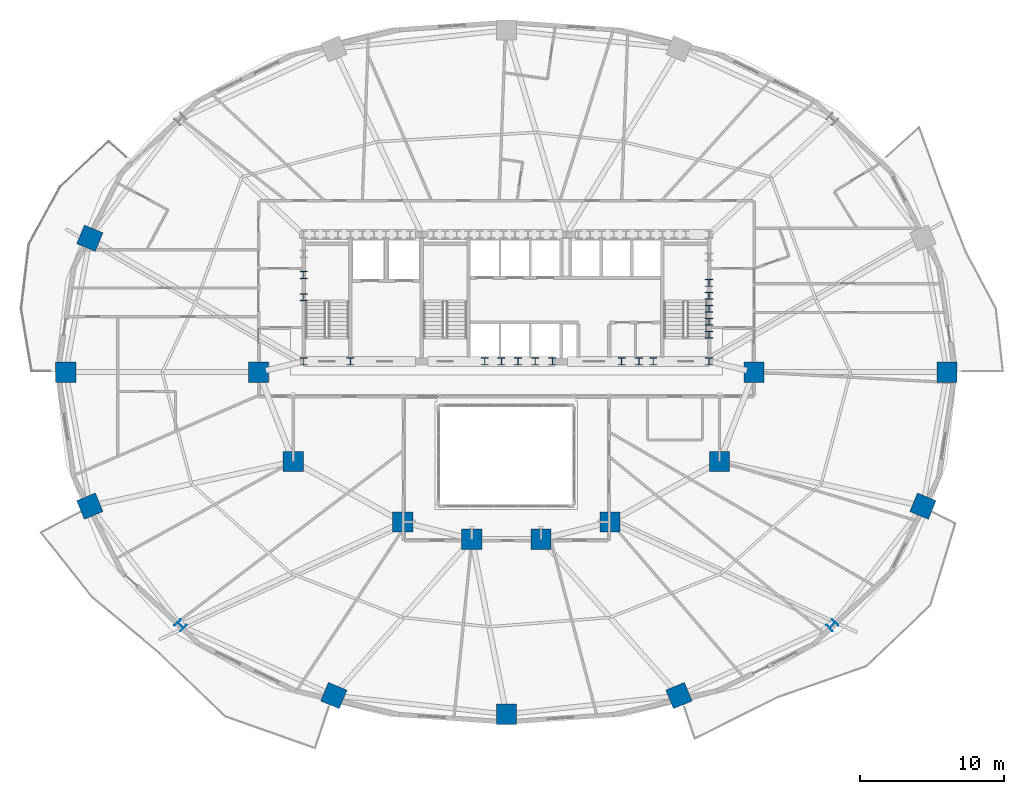
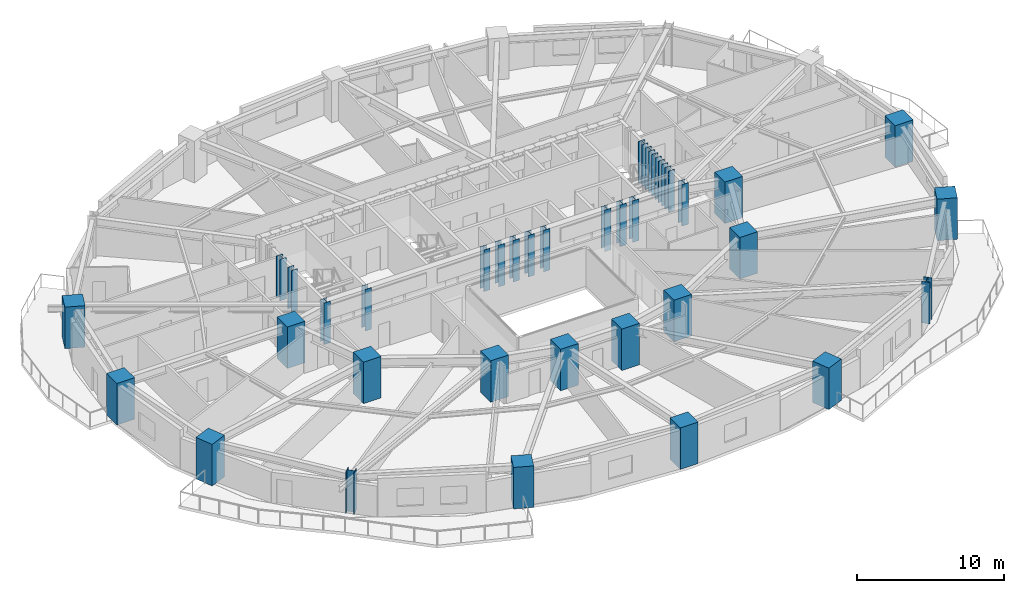
# One storey, part 1 of 17: 36 columns.
"""IFC4 building model written with IfcOpenShell, lengths in metres."""

from ifc_helpers import new_model, si_unit, direction, frame, origin, origin_2d, place, context, subcontext, project, spatial, rectangle, i_section, extrude, material, material_profile, profile_set, type_object, element, save


model = new_model("IFC4")

# Units and contexts
model_context = context("Model", 3, precision=1e-05, world=origin(), true_north=direction((0.0, 1.0)))
body_context = subcontext(model_context, "Body", "Model", "MODEL_VIEW")
ifc_project = project(units=[si_unit("LENGTHUNIT", "METRE"), si_unit("AREAUNIT", "SQUARE_METRE"), si_unit("VOLUMEUNIT", "CUBIC_METRE"), si_unit("PLANEANGLEUNIT", "RADIAN"), si_unit("MASSUNIT", "GRAM", prefix="KILO")], contexts=[model_context])

# Site, building, storey
site_placement = place(None, origin())
site = spatial("IfcSite", under=ifc_project, at=site_placement, CompositionType="ELEMENT")
building_placement = place(site_placement, origin())
building = spatial("IfcBuilding", under=site, at=building_placement, Name="Haldorwick Loom Tower", CompositionType="ELEMENT")
storey_placement = place(building_placement, frame((0.0, 0.0, 44.699951171875)))
storey = spatial("IfcBuildingStorey", under=building, at=storey_placement, Name="L11", CompositionType="ELEMENT", Elevation=44.699951171875)

# Columns
ifc_material_1 = material(Name="Concrete C60 (60 MPa)", Category="concrete")
ifc_material_profile_1 = material_profile(ifc_material_1, rectangle(XDim=1.39990234375, YDim=1.39990234375, at=origin_2d()), Name="RC1400X1400", Category="concrete")
ifc_profile_set_1 = profile_set([ifc_material_profile_1], Name="Concrete C60 (60 MPa)")
column_type_1 = type_object("IfcColumnType", Name="STR-COL-MEGA1400", PredefinedType="COLUMN", material=ifc_profile_set_1)
for number, where, z_axis, x_axis, name in (
    (1, (53.199951171875, 26.0, 0.0), (0.0, 0.0, 1.0), (1.0, 0.0, 0.0), "L11 Inner Column IC-01"),
    (2, (50.800048828125, 19.800048828125, 0.0), (0.0, 0.0, 1.0), (1.0, 0.0, 0.0), "L11 Inner Column IC-02"),
    (3, (43.199951171875, 15.60009765625, 0.0), (0.0, 0.0, 1.0), (1.0, 0.0, 0.0), "L11 Inner Column IC-03"),
    (4, (38.39990234375, 14.39990234375, 0.0), (0.0, 0.0, 1.0), (1.0, 0.0, 0.0), "L11 Inner Column IC-04"),
    (5, (33.60009765625, 14.39990234375, 0.0), (0.0, 0.0, 1.0), (1.0, 0.0, 0.0), "L11 Inner Column IC-05"),
    (6, (28.800048828125, 15.60009765625, 0.0), (0.0, 0.0, 1.0), (1.0, 0.0, 0.0), "L11 Inner Column IC-06"),
    (7, (21.199951171875, 19.800048828125, 0.0), (0.0, 0.0, 1.0), (1.0, 0.0, 0.0), "L11 Inner Column IC-07"),
    (8, (18.800048828125, 26.0, 0.0), (0.0, 0.0, 1.0), (1.0, 0.0, 0.0), "L11 Inner Column IC-08"),
):
    element("IfcColumn", number, at=place(storey_placement, frame(where, z_axis=z_axis, x_axis=x_axis)), inside=storey, type_object=column_type_1, Name=name, PredefinedType="COLUMN", context=body_context, shape_type="SweptSolid", body=[
        extrude(rectangle(XDim=1.39990234375, YDim=1.39990234375, at=origin_2d()), origin(), (0.0, 0.0, 1.0), 3.449951171875),
    ])
ifc_material_profile_2 = material_profile(ifc_material_1, rectangle(XDim=1.39990234375, YDim=1.39990234375, at=origin_2d()), Name="RC1400X1400", Category="concrete")
ifc_profile_set_2 = profile_set([ifc_material_profile_2], Name="Concrete C60 (60 MPa)")
column_type_2 = type_object("IfcColumnType", Name="STR-COL-RC1400", PredefinedType="PILASTER", material=ifc_profile_set_2)
for number, where, z_axis, x_axis, name in (
    (9, (66.595947265625, 26.0, 0.0), (0.0, 0.0, 1.0), (1.0, 0.0, 0.0), "L11 Perimeter Pier Column P01"),
    (10, (7.08251953125, 35.29931640625, 0.0), (0.0, 0.0, 1.0), (-0.923879532511, 0.382683432365, 0.0), "L11 Perimeter Pier Column P08"),
    (11, (5.404052734375, 26.0, 0.0), (0.0, 0.0, 1.0), (-1.0, 0.0, 0.0), "L11 Perimeter Pier Column P09"),
    (12, (7.08251953125, 16.70068359375, 0.0), (0.0, 0.0, 1.0), (-0.923879532511, -0.382683432365, 0.0), "L11 Perimeter Pier Column P10"),
    (13, (24.02197265625, 3.5498046875, 0.0), (0.0, 0.0, 1.0), (-0.382683432365, -0.923879532511, 0.0), "L11 Perimeter Pier Column P12"),
    (14, (36.0, 2.25, 0.0), (0.0, 0.0, 1.0), (0.0, -1.0, 0.0), "L11 Perimeter Pier Column P13"),
    (15, (47.97802734375, 3.5498046875, 0.0), (0.0, 0.0, 1.0), (0.382683432365, -0.923879532511, 0.0), "L11 Perimeter Pier Column P14"),
    (16, (64.91748046875, 16.70068359375, 0.0), (0.0, 0.0, 1.0), (0.923879532511, -0.382683432365, 0.0), "L11 Perimeter Pier Column P16"),
):
    element("IfcColumn", number, at=place(storey_placement, frame(where, z_axis=z_axis, x_axis=x_axis)), inside=storey, type_object=column_type_2, Name=name, PredefinedType="PILASTER", context=body_context, shape_type="SweptSolid", body=[
        extrude(rectangle(XDim=1.39990234375, YDim=1.39990234375, at=origin_2d()), origin(), (0.0, 0.0, 1.0), 3.449951171875),
    ])
ifc_material_2 = material(Name="Steel CSA G40.21 350WT", Category="steel")
ifc_material_profile_3 = material_profile(ifc_material_2, i_section(OverallWidth=0.5, OverallDepth=0.5, WebThickness=0.02197265625, FlangeThickness=0.031982421875, at=origin_2d()), Name="WWF500X500", Category="steel")
ifc_profile_set_3 = profile_set([ifc_material_profile_3], Name="Steel CSA G40.21 350WT")
column_type_3 = type_object("IfcColumnType", Name="STR-COL-WWF500", PredefinedType="COLUMN", material=ifc_profile_set_3)
for number, where, z_axis, x_axis, name in (
    (17, (21.929931640625, 26.75, 0.0), (0.0, 0.0, 1.0), (1.0, 0.0, 0.0), "L11 Core Pilaster CB-19"),
    (18, (25.169921875, 26.75, 0.0), (0.0, 0.0, 1.0), (1.0, 0.0, 0.0), "L11 Core Pilaster CB-20"),
    (19, (34.5, 26.75, 0.0), (0.0, 0.0, 1.0), (1.0, 0.0, 0.0), "L11 Core Pilaster CB-21"),
    (20, (36.800048828125, 26.75, 0.0), (0.0, 0.0, 1.0), (1.0, 0.0, 0.0), "L11 Core Pilaster CB-22"),
    (21, (39.199951171875, 26.75, 0.0), (0.0, 0.0, 1.0), (1.0, 0.0, 0.0), "L11 Core Pilaster CB-23"),
    (22, (45.199951171875, 26.75, 0.0), (0.0, 0.0, 1.0), (1.0, 0.0, 0.0), "L11 Core Pilaster CB-24"),
    (23, (50.070068359375, 26.75, 0.0), (0.0, 0.0, 1.0), (1.0, 0.0, 0.0), "L11 Core Pilaster CB-25"),
    (24, (21.929931640625, 31.199951171875, 0.0), (0.0, 0.0, 1.0), (1.0, 0.0, 0.0), "L11 Core Pilaster CB-26"),
    (25, (21.929931640625, 32.75, 0.0), (0.0, 0.0, 1.0), (1.0, 0.0, 0.0), "L11 Core Pilaster CB-27"),
    (26, (50.070068359375, 28.60009765625, 0.0), (0.0, 0.0, 1.0), (1.0, 0.0, 0.0), "L11 Core Pilaster CB-29"),
    (27, (50.070068359375, 30.39990234375, 0.0), (0.0, 0.0, 1.0), (1.0, 0.0, 0.0), "L11 Core Pilaster CB-30"),
    (28, (50.070068359375, 32.199951171875, 0.0), (0.0, 0.0, 1.0), (1.0, 0.0, 0.0), "L11 Core Pilaster CB-31"),
    (29, (50.070068359375, 29.5, 0.0), (0.0, 0.0, 1.0), (1.0, 0.0, 0.0), "L11 Core Pilaster CB-49"),
    (30, (50.070068359375, 31.300048828125, 0.0), (0.0, 0.0, 1.0), (1.0, 0.0, 0.0), "L11 Core Pilaster CB-50"),
    (31, (35.64990234375, 26.75, 0.0), (0.0, 0.0, 1.0), (1.0, 0.0, 0.0), "L11 Core Pilaster CB-51"),
    (32, (38.0, 26.75, 0.0), (0.0, 0.0, 1.0), (1.0, 0.0, 0.0), "L11 Core Pilaster CB-52"),
    (33, (44.0, 26.75, 0.0), (0.0, 0.0, 1.0), (1.0, 0.0, 0.0), "L11 Core Pilaster CB-53"),
    (34, (46.199951171875, 26.75, 0.0), (0.0, 0.0, 1.0), (1.0, 0.0, 0.0), "L11 Core Pilaster CB-54"),
):
    element("IfcColumn", number, at=place(storey_placement, frame(where, z_axis=z_axis, x_axis=x_axis)), inside=storey, type_object=column_type_3, Name=name, PredefinedType="COLUMN", context=body_context, shape_type="SweptSolid", body=[
        extrude(i_section(OverallWidth=0.5, OverallDepth=0.5, WebThickness=0.02197265625, FlangeThickness=0.031982421875, at=origin_2d()), origin(), (0.0, 0.0, 1.0), 3.449951171875),
    ])
ifc_material_profile_4 = material_profile(ifc_material_2, i_section(OverallWidth=0.60009765625, OverallDepth=0.60009765625, WebThickness=0.02490234375, FlangeThickness=0.035888671875, at=origin_2d()), Name="WWF600X600", Category="steel")
ifc_profile_set_4 = profile_set([ifc_material_profile_4], Name="Steel CSA G40.21 350WT")
column_type_4 = type_object("IfcColumnType", Name="STR-COL-WWF600", PredefinedType="COLUMN", material=ifc_profile_set_4)
for number, where, z_axis, x_axis, name in (
    (35, (13.369873046875, 8.428466796875, 0.0), (0.0, 0.0, 1.0), (-0.707106781187, -0.707106781187, 0.0), "L11 Perimeter Pier Column P11"),
    (36, (58.630126953125, 8.428466796875, 0.0), (0.0, 0.0, 1.0), (0.707106781187, -0.707106781187, 0.0), "L11 Perimeter Pier Column P15"),
):
    element("IfcColumn", number, at=place(storey_placement, frame(where, z_axis=z_axis, x_axis=x_axis)), inside=storey, type_object=column_type_4, Name=name, PredefinedType="COLUMN", context=body_context, shape_type="SweptSolid", body=[
        extrude(i_section(OverallWidth=0.60009765625, OverallDepth=0.60009765625, WebThickness=0.02490234375, FlangeThickness=0.035888671875, at=origin_2d()), origin(), (0.0, 0.0, 1.0), 3.449951171875),
    ])

save(model, "model.ifc")
